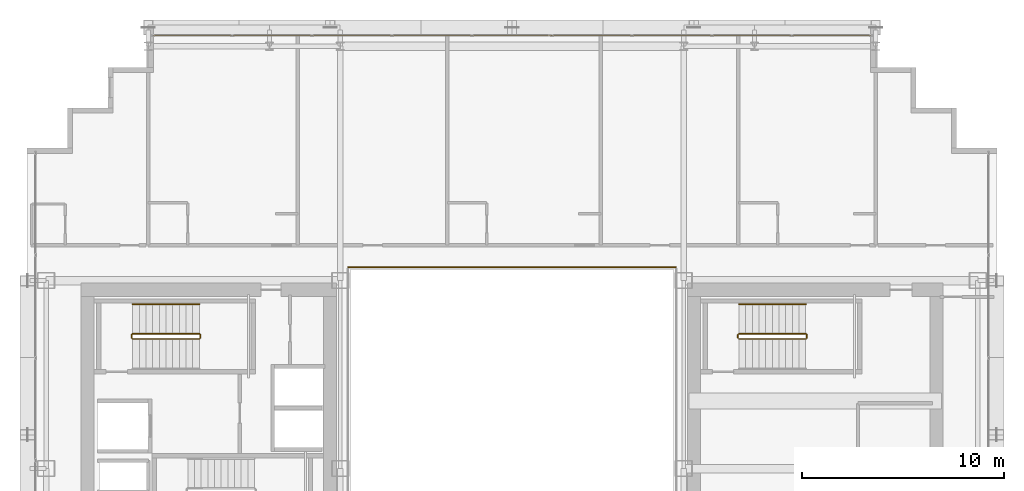
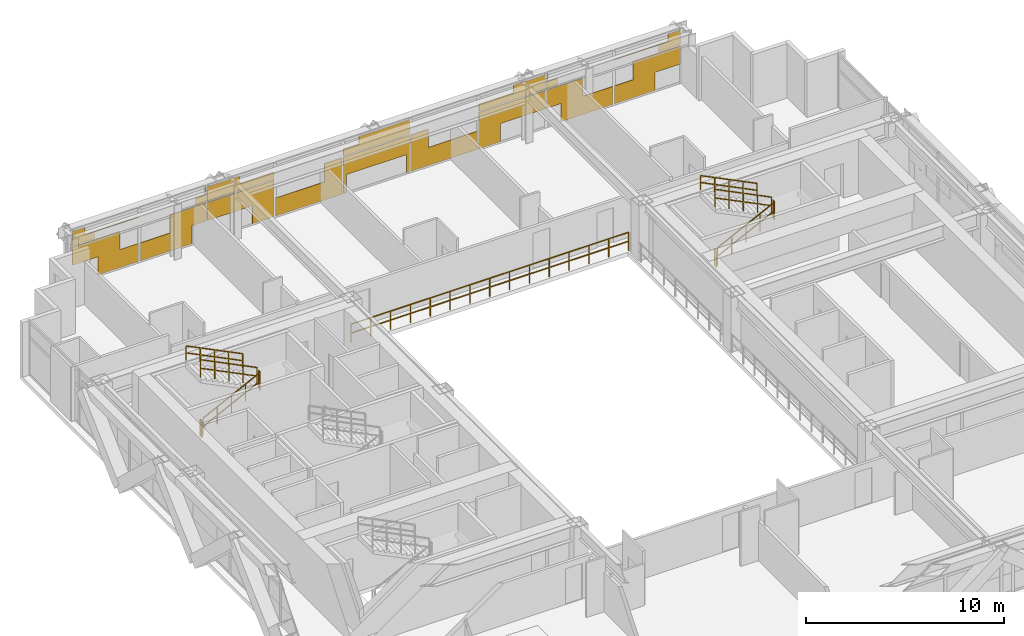
# One storey, part 34 of 34: 11 railings, 1 covering.
"""IFC4 building model written with IfcOpenShell, lengths in metres."""

from ifc_helpers import new_model, si_unit, direction, frame, origin, origin_2d, place, context, subcontext, project, spatial, rectangle, extrude, material, layer, layer_set, type_object, element, save


model = new_model("IFC4")

# Units and contexts
model_context = context("Model", 3, precision=1e-05, world=origin(), true_north=direction((0.0, 1.0)))
body_context = subcontext(model_context, "Body", "Model", "MODEL_VIEW")
ifc_project = project(units=[si_unit("LENGTHUNIT", "METRE"), si_unit("AREAUNIT", "SQUARE_METRE"), si_unit("VOLUMEUNIT", "CUBIC_METRE"), si_unit("PLANEANGLEUNIT", "RADIAN"), si_unit("MASSUNIT", "GRAM", prefix="KILO")], contexts=[model_context])

# Site, building, storey
site_placement = place(None, origin())
site = spatial("IfcSite", under=ifc_project, at=site_placement, CompositionType="ELEMENT")
building_placement = place(site_placement, origin())
building = spatial("IfcBuilding", under=site, at=building_placement, Name="Ocotamira Hotel", CompositionType="ELEMENT")
storey_placement = place(building_placement, frame((0.0, 0.0, 108.0)))
storey = spatial("IfcBuildingStorey", under=building, at=storey_placement, Name="L26", CompositionType="ELEMENT", Elevation=108.0)

# Covering
ifc_material_1 = material(Name="Insulated pale-metal aluminium spandrel panel", Category="aluminium")
ifc_layer = layer(ifc_material_1, 0.044921875)
ifc_layer_set = layer_set([ifc_layer], Name="Insulated pale-metal aluminium spandrel panel")
covering_type = type_object("IfcCoveringType", Name="COV-INFILL-45", PredefinedType="CLADDING", material=ifc_layer_set)
covering_placement = place(storey_placement, origin())
element("IfcCovering", 1, at=covering_placement, inside=storey, type_object=covering_type, Name="L26 Curtain Wall Infill CW-3 CW-L26-N", PredefinedType="CLADDING", context=body_context, shape_type="SweptSolid", body=[
    extrude(rectangle(XDim=2.754638671875, YDim=0.044921875, at=origin_2d()), frame((15.65771484375, 49.580078125, 1.1943359375), z_axis=(0.0, 0.0, 1.0), x_axis=(1.0, 0.0, 0.0)), (0.0, 0.0, 1.0), 1.117919921875),
    extrude(rectangle(XDim=2.359619140625, YDim=0.044921875, at=origin_2d()), frame((16.935302734375, 49.580078125, 0.07568359375), z_axis=(0.0, 0.0, 1.0), x_axis=(1.0, 0.0, 0.0)), (0.0, 0.0, 1.0), 1.11767578125),
    extrude(rectangle(XDim=1.262451171875, YDim=0.044921875, at=origin_2d()), frame((14.91162109375, 49.580078125, 2.387939453125), z_axis=(0.0, 0.0, 1.0), x_axis=(1.0, 0.0, 0.0)), (0.0, 0.0, 1.0), 0.3935546875),
    extrude(rectangle(XDim=3.834716796875, YDim=0.044921875, at=origin_2d()), frame((16.19775390625, 49.580078125, 2.782470703125), z_axis=(0.0, 0.0, 1.0), x_axis=(1.0, 0.0, 0.0)), (0.0, 0.0, 1.0), 0.0302734375),
    extrude(rectangle(XDim=0.730224609375, YDim=0.044921875, at=origin_2d()), frame((14.6455078125, 49.580078125, 2.813720703125), z_axis=(0.0, 0.0, 1.0), x_axis=(1.0, 0.0, 0.0)), (0.0, 0.0, 1.0), 0.470703125),
    extrude(rectangle(XDim=3.04833984375, YDim=0.044921875, at=origin_2d()), frame((19.72021484375, 49.580078125, 0.07568359375), z_axis=(0.0, 0.0, 1.0), x_axis=(1.0, 0.0, 0.0)), (0.0, 0.0, 1.0), 1.11767578125),
    extrude(rectangle(XDim=2.105712890625, YDim=0.044921875, at=origin_2d()), frame((21.017578125, 49.580078125, 1.1943359375), z_axis=(0.0, 0.0, 1.0), x_axis=(1.0, 0.0, 0.0)), (0.0, 0.0, 1.0), 1.117919921875),
    extrude(rectangle(XDim=0.613525390625, YDim=0.044921875, at=origin_2d()), frame((21.763916015625, 49.580078125, 2.387939453125), z_axis=(0.0, 0.0, 1.0), x_axis=(1.0, 0.0, 0.0)), (0.0, 0.0, 1.0), 0.4248046875),
    extrude(rectangle(XDim=0.081298828125, YDim=0.044921875, at=origin_2d()), frame((22.02978515625, 49.580078125, 2.813720703125), z_axis=(0.0, 0.0, 1.0), x_axis=(1.0, 0.0, 0.0)), (0.0, 0.0, 1.0), 0.470703125),
    extrude(rectangle(XDim=3.87451171875, YDim=0.044921875, at=origin_2d()), frame((24.0888671875, 49.580078125, 1.1943359375), z_axis=(0.0, 0.0, 1.0), x_axis=(1.0, 0.0, 0.0)), (0.0, 0.0, 1.0), 1.117919921875),
    extrude(rectangle(XDim=1.270751953125, YDim=0.044921875, at=origin_2d()), frame((25.390869140625, 49.580078125, 0.07568359375), z_axis=(0.0, 0.0, 1.0), x_axis=(1.0, 0.0, 0.0)), (0.0, 0.0, 1.0), 1.11767578125),
    extrude(rectangle(XDim=3.87451171875, YDim=0.044921875, at=origin_2d()), frame((24.0888671875, 49.580078125, 2.387939453125), z_axis=(0.0, 0.0, 1.0), x_axis=(1.0, 0.0, 0.0)), (0.0, 0.0, 1.0), 0.4248046875),
    extrude(rectangle(XDim=1.859130859375, YDim=0.044921875, at=origin_2d()), frame((23.081298828125, 49.580078125, 2.813720703125), z_axis=(0.0, 0.0, 1.0), x_axis=(1.0, 0.0, 0.0)), (0.0, 0.0, 1.0), 0.470703125),
    extrude(rectangle(XDim=3.87451171875, YDim=0.044921875, at=origin_2d()), frame((28.04443359375, 49.580078125, 0.07568359375), z_axis=(0.0, 0.0, 1.0), x_axis=(1.0, 0.0, 0.0)), (0.0, 0.0, 1.0), 1.11767578125),
    extrude(rectangle(XDim=1.016845703125, YDim=0.044921875, at=origin_2d()), frame((29.473388671875, 49.580078125, 1.1943359375), z_axis=(0.0, 0.0, 1.0), x_axis=(1.0, 0.0, 0.0)), (0.0, 0.0, 1.0), 1.117919921875),
    extrude(rectangle(XDim=0.181884765625, YDim=0.044921875, at=origin_2d()), frame((30.153564453125, 49.580078125, 0.07568359375), z_axis=(0.0, 0.0, 1.0), x_axis=(1.0, 0.0, 0.0)), (0.0, 0.0, 1.0), 1.11767578125),
    extrude(rectangle(XDim=3.87451171875, YDim=0.044921875, at=origin_2d()), frame((32.0, 49.580078125, 1.1943359375), z_axis=(0.0, 0.0, 1.0), x_axis=(1.0, 0.0, 0.0)), (0.0, 0.0, 1.0), 1.117919921875),
    extrude(rectangle(XDim=0.181884765625, YDim=0.044921875, at=origin_2d()), frame((33.846435546875, 49.580078125, 0.07568359375), z_axis=(0.0, 0.0, 1.0), x_axis=(1.0, 0.0, 0.0)), (0.0, 0.0, 1.0), 1.11767578125),
    extrude(rectangle(XDim=3.87451171875, YDim=0.044921875, at=origin_2d()), frame((32.0, 49.580078125, 2.387939453125), z_axis=(0.0, 0.0, 1.0), x_axis=(1.0, 0.0, 0.0)), (0.0, 0.0, 1.0), 0.4248046875),
    extrude(rectangle(XDim=2.947998046875, YDim=0.044921875, at=origin_2d()), frame((32.46337890625, 49.580078125, 2.813720703125), z_axis=(0.0, 0.0, 1.0), x_axis=(1.0, 0.0, 0.0)), (0.0, 0.0, 1.0), 0.470703125),
    extrude(rectangle(XDim=3.87451171875, YDim=0.044921875, at=origin_2d()), frame((35.95556640625, 49.580078125, 0.07568359375), z_axis=(0.0, 0.0, 1.0), x_axis=(1.0, 0.0, 0.0)), (0.0, 0.0, 1.0), 1.11767578125),
    extrude(rectangle(XDim=1.016845703125, YDim=0.044921875, at=origin_2d()), frame((34.526611328125, 49.580078125, 1.1943359375), z_axis=(0.0, 0.0, 1.0), x_axis=(1.0, 0.0, 0.0)), (0.0, 0.0, 1.0), 1.117919921875),
    extrude(rectangle(XDim=1.270751953125, YDim=0.044921875, at=origin_2d()), frame((38.609130859375, 49.580078125, 0.07568359375), z_axis=(0.0, 0.0, 1.0), x_axis=(1.0, 0.0, 0.0)), (0.0, 0.0, 1.0), 1.11767578125),
    extrude(rectangle(XDim=3.87451171875, YDim=0.044921875, at=origin_2d()), frame((39.9111328125, 49.580078125, 1.1943359375), z_axis=(0.0, 0.0, 1.0), x_axis=(1.0, 0.0, 0.0)), (0.0, 0.0, 1.0), 1.117919921875),
    extrude(rectangle(XDim=3.87451171875, YDim=0.044921875, at=origin_2d()), frame((39.9111328125, 49.580078125, 2.387939453125), z_axis=(0.0, 0.0, 1.0), x_axis=(1.0, 0.0, 0.0)), (0.0, 0.0, 1.0), 0.4248046875),
    extrude(rectangle(XDim=1.859130859375, YDim=0.044921875, at=origin_2d()), frame((40.918701171875, 49.580078125, 2.813720703125), z_axis=(0.0, 0.0, 1.0), x_axis=(1.0, 0.0, 0.0)), (0.0, 0.0, 1.0), 0.470703125),
    extrude(rectangle(XDim=2.105712890625, YDim=0.044921875, at=origin_2d()), frame((42.982421875, 49.580078125, 1.1943359375), z_axis=(0.0, 0.0, 1.0), x_axis=(1.0, 0.0, 0.0)), (0.0, 0.0, 1.0), 1.117919921875),
    extrude(rectangle(XDim=3.04833984375, YDim=0.044921875, at=origin_2d()), frame((44.27978515625, 49.580078125, 0.07568359375), z_axis=(0.0, 0.0, 1.0), x_axis=(1.0, 0.0, 0.0)), (0.0, 0.0, 1.0), 1.11767578125),
    extrude(rectangle(XDim=0.613525390625, YDim=0.044921875, at=origin_2d()), frame((42.236083984375, 49.580078125, 2.387939453125), z_axis=(0.0, 0.0, 1.0), x_axis=(1.0, 0.0, 0.0)), (0.0, 0.0, 1.0), 0.4248046875),
    extrude(rectangle(XDim=0.081298828125, YDim=0.044921875, at=origin_2d()), frame((41.97021484375, 49.580078125, 2.813720703125), z_axis=(0.0, 0.0, 1.0), x_axis=(1.0, 0.0, 0.0)), (0.0, 0.0, 1.0), 0.470703125),
    extrude(rectangle(XDim=2.359619140625, YDim=0.044921875, at=origin_2d()), frame((47.064697265625, 49.580078125, 0.07568359375), z_axis=(0.0, 0.0, 1.0), x_axis=(1.0, 0.0, 0.0)), (0.0, 0.0, 1.0), 1.11767578125),
    extrude(rectangle(XDim=2.754638671875, YDim=0.044921875, at=origin_2d()), frame((48.34228515625, 49.580078125, 1.1943359375), z_axis=(0.0, 0.0, 1.0), x_axis=(1.0, 0.0, 0.0)), (0.0, 0.0, 1.0), 1.117919921875),
    extrude(rectangle(XDim=3.834716796875, YDim=0.044921875, at=origin_2d()), frame((47.80224609375, 49.580078125, 2.782470703125), z_axis=(0.0, 0.0, 1.0), x_axis=(1.0, 0.0, 0.0)), (0.0, 0.0, 1.0), 0.0302734375),
    extrude(rectangle(XDim=1.262451171875, YDim=0.044921875, at=origin_2d()), frame((49.08837890625, 49.580078125, 2.387939453125), z_axis=(0.0, 0.0, 1.0), x_axis=(1.0, 0.0, 0.0)), (0.0, 0.0, 1.0), 0.3935546875),
    extrude(rectangle(XDim=0.730224609375, YDim=0.044921875, at=origin_2d()), frame((49.3544921875, 49.580078125, 2.813720703125), z_axis=(0.0, 0.0, 1.0), x_axis=(1.0, 0.0, 0.0)), (0.0, 0.0, 1.0), 0.470703125),
])

# Railings
ifc_material_2 = material(Name="Painted steel stair guardrail", Category="steel")
railing_type_1 = type_object("IfcRailingType", Name="RL-EDGE-1150", PredefinedType="GUARDRAIL", material=ifc_material_2)
railing_1_placement = place(storey_placement, frame((40.10009765625, 38.1201171875, 0.0)))
element("IfcRailing", 2, at=railing_1_placement, inside=storey, type_object=railing_type_1, Name="L26 Central Atrium Edge Guardrail N", PredefinedType="GUARDRAIL", context=body_context, shape_type="SweptSolid", body=[
    extrude(rectangle(XDim=0.048095703125, YDim=0.048095703125, at=origin_2d()), frame((0.0, 0.0, 1.1259765625), z_axis=(-1.0, 0.0, 0.0), x_axis=(0.0, -1.0, 0.0)), (0.0, 0.0, 1.0), 16.2001953125),
    extrude(rectangle(XDim=0.048095703125, YDim=0.048095703125, at=origin_2d()), frame((0.0, 0.0, 0.574951171875), z_axis=(-1.0, 0.0, 0.0), x_axis=(0.0, -1.0, 0.0)), (0.0, 0.0, 1.0), 16.2001953125),
    extrude(rectangle(XDim=0.0419921875, YDim=0.0419921875, at=origin_2d()), origin(), (0.0, 0.0, 1.0), 1.101806640625),
    extrude(rectangle(XDim=0.0419921875, YDim=0.0419921875, at=origin_2d()), frame((-1.1572265625, 0.0, 0.0)), (0.0, 0.0, 1.0), 1.101806640625),
    extrude(rectangle(XDim=0.0419921875, YDim=0.0419921875, at=origin_2d()), frame((-2.314208984375, 0.0, 0.0)), (0.0, 0.0, 1.0), 1.101806640625),
    extrude(rectangle(XDim=0.0419921875, YDim=0.0419921875, at=origin_2d()), frame((-3.471435546875, 0.0, 0.0)), (0.0, 0.0, 1.0), 1.101806640625),
    extrude(rectangle(XDim=0.0419921875, YDim=0.0419921875, at=origin_2d()), frame((-4.628662109375, 0.0, 0.0)), (0.0, 0.0, 1.0), 1.101806640625),
    extrude(rectangle(XDim=0.0419921875, YDim=0.0419921875, at=origin_2d()), frame((-5.785888671875, 0.0, 0.0)), (0.0, 0.0, 1.0), 1.101806640625),
    extrude(rectangle(XDim=0.0419921875, YDim=0.0419921875, at=origin_2d()), frame((-6.94287109375, 0.0, 0.0)), (0.0, 0.0, 1.0), 1.101806640625),
    extrude(rectangle(XDim=0.0419921875, YDim=0.0419921875, at=origin_2d()), frame((-8.10009765625, 0.0, 0.0)), (0.0, 0.0, 1.0), 1.101806640625),
    extrude(rectangle(XDim=0.0419921875, YDim=0.0419921875, at=origin_2d()), frame((-9.25732421875, 0.0, 0.0)), (0.0, 0.0, 1.0), 1.101806640625),
    extrude(rectangle(XDim=0.0419921875, YDim=0.0419921875, at=origin_2d()), frame((-10.414306640625, 0.0, 0.0)), (0.0, 0.0, 1.0), 1.101806640625),
    extrude(rectangle(XDim=0.0419921875, YDim=0.0419921875, at=origin_2d()), frame((-11.571533203125, 0.0, 0.0)), (0.0, 0.0, 1.0), 1.101806640625),
    extrude(rectangle(XDim=0.0419921875, YDim=0.0419921875, at=origin_2d()), frame((-12.728759765625, 0.0, 0.0)), (0.0, 0.0, 1.0), 1.101806640625),
    extrude(rectangle(XDim=0.0419921875, YDim=0.0419921875, at=origin_2d()), frame((-13.885986328125, 0.0, 0.0)), (0.0, 0.0, 1.0), 1.101806640625),
    extrude(rectangle(XDim=0.0419921875, YDim=0.0419921875, at=origin_2d()), frame((-15.04296875, 0.0, 0.0)), (0.0, 0.0, 1.0), 1.101806640625),
    extrude(rectangle(XDim=0.0419921875, YDim=0.0419921875, at=origin_2d()), frame((-16.2001953125, 0.0, 0.0)), (0.0, 0.0, 1.0), 1.101806640625),
])
ifc_material_3 = material(Name="Brushed stainless steel handrail", Category="steel")
railing_type_2 = type_object("IfcRailingType", Name="RL-HAND-900", PredefinedType="HANDRAIL", material=ifc_material_3)
for number, where, name in (
    (3, (16.530029296875, 36.280029296875, 2.127197265625), "L26 ST-2 stair handrail 2"),
    (4, (46.530029296875, 36.280029296875, 2.127197265625), "L26 ST-4 stair handrail 2"),
):
    element("IfcRailing", number, at=place(storey_placement, frame(where)), inside=storey, type_object=railing_type_2, Name=name, PredefinedType="HANDRAIL", context=body_context, shape_type="SweptSolid", body=[
        extrude(rectangle(XDim=0.048095703125, YDim=0.048095703125, at=origin_2d()), frame((0.0, 0.0, 0.8759765625), z_axis=(-0.895893744519, 0.0, 0.4442683857), x_axis=(0.0, -1.0, 0.0)), (0.0, 0.0, 1.0), 3.68359375),
        extrude(rectangle(XDim=0.048095703125, YDim=0.048095703125, at=origin_2d()), frame((0.0, 0.0, 0.449951171875), z_axis=(-0.895893744519, 0.0, 0.4442683857), x_axis=(0.0, -1.0, 0.0)), (0.0, 0.0, 1.0), 3.68359375),
        extrude(rectangle(XDim=0.0419921875, YDim=0.0419921875, at=origin_2d()), origin(), (0.0, 0.0, 1.0), 0.851806640625),
        extrude(rectangle(XDim=0.0419921875, YDim=0.0419921875, at=origin_2d()), frame((-0.824951171875, 0.0, 0.4091796875)), (0.0, 0.0, 1.0), 0.851806640625),
        extrude(rectangle(XDim=0.0419921875, YDim=0.0419921875, at=origin_2d()), frame((-1.64990234375, 0.0, 0.818359375)), (0.0, 0.0, 1.0), 0.851806640625),
        extrude(rectangle(XDim=0.0419921875, YDim=0.0419921875, at=origin_2d()), frame((-2.47509765625, 0.0, 1.227294921875)), (0.0, 0.0, 1.0), 0.851806640625),
        extrude(rectangle(XDim=0.0419921875, YDim=0.0419921875, at=origin_2d()), frame((-3.300048828125, 0.0, 1.636474609375)), (0.0, 0.0, 1.0), 0.851806640625),
    ])
railing_type_3 = type_object("IfcRailingType", Name="RL-STAIR-1100", PredefinedType="GUARDRAIL", material=ifc_material_2)
railing_2_placement = place(storey_placement, frame((13.22998046875, 34.56005859375, 0.16357421875)))
element("IfcRailing", 5, at=railing_2_placement, inside=storey, type_object=railing_type_3, Name="L26 ST-2 stair guard 1", PredefinedType="GUARDRAIL", context=body_context, shape_type="SweptSolid", body=[
    extrude(rectangle(XDim=0.048095703125, YDim=0.048095703125, at=origin_2d()), frame((0.0, 0.0, 1.076171875), z_axis=(0.895893744519, 0.0, 0.4442683857), x_axis=(0.0, 1.0, 0.0)), (0.0, 0.0, 1.0), 3.68359375),
    extrude(rectangle(XDim=0.048095703125, YDim=0.048095703125, at=origin_2d()), frame((0.0, 0.0, 0.550048828125), z_axis=(0.895893744519, 0.0, 0.4442683857), x_axis=(0.0, 1.0, 0.0)), (0.0, 0.0, 1.0), 3.68359375),
    extrude(rectangle(XDim=0.0419921875, YDim=0.0419921875, at=origin_2d()), origin(), (0.0, 0.0, 1.0), 1.052001953125),
    extrude(rectangle(XDim=0.0419921875, YDim=0.0419921875, at=origin_2d()), frame((0.824951171875, 0.0, 0.4091796875)), (0.0, 0.0, 1.0), 1.052001953125),
    extrude(rectangle(XDim=0.0419921875, YDim=0.0419921875, at=origin_2d()), frame((1.64990234375, 0.0, 0.818359375)), (0.0, 0.0, 1.0), 1.052001953125),
    extrude(rectangle(XDim=0.0419921875, YDim=0.0419921875, at=origin_2d()), frame((2.47509765625, 0.0, 1.227294921875)), (0.0, 0.0, 1.0), 1.052001953125),
    extrude(rectangle(XDim=0.0419921875, YDim=0.0419921875, at=origin_2d()), frame((3.300048828125, 0.0, 1.636474609375)), (0.0, 0.0, 1.0), 1.052001953125),
])
railing_3_placement = place(storey_placement, frame((16.580078125, 34.610107421875, 1.800048828125)))
element("IfcRailing", 6, at=railing_3_placement, inside=storey, type_object=railing_type_3, Name="L26 ST-2 stair guard 2", PredefinedType="GUARDRAIL", context=body_context, shape_type="SweptSolid", body=[
    extrude(rectangle(XDim=0.048095703125, YDim=0.048095703125, at=origin_2d()), frame((0.0, 0.0, 1.076171875), z_axis=(0.0, 1.0, 0.0), x_axis=(-1.0, 0.0, 0.0)), (0.0, 0.0, 1.0), 0.159912109375),
    extrude(rectangle(XDim=0.048095703125, YDim=0.048095703125, at=origin_2d()), frame((0.0, 0.0, 0.550048828125), z_axis=(0.0, 1.0, 0.0), x_axis=(-1.0, 0.0, 0.0)), (0.0, 0.0, 1.0), 0.159912109375),
    extrude(rectangle(XDim=0.0419921875, YDim=0.0419921875, at=origin_2d()), origin(), (0.0, 0.0, 1.0), 1.052001953125),
    extrude(rectangle(XDim=0.0419921875, YDim=0.0419921875, at=origin_2d()), frame((0.0, 0.159912109375, 0.0)), (0.0, 0.0, 1.0), 1.052001953125),
])
railing_4_placement = place(storey_placement, frame((16.530029296875, 34.820068359375, 1.963623046875)))
element("IfcRailing", 7, at=railing_4_placement, inside=storey, type_object=railing_type_3, Name="L26 ST-2 stair guard 3", PredefinedType="GUARDRAIL", context=body_context, shape_type="SweptSolid", body=[
    extrude(rectangle(XDim=0.048095703125, YDim=0.048095703125, at=origin_2d()), frame((0.0, 0.0, 1.076171875), z_axis=(-0.895893744519, 0.0, 0.4442683857), x_axis=(0.0, -1.0, 0.0)), (0.0, 0.0, 1.0), 3.68359375),
    extrude(rectangle(XDim=0.048095703125, YDim=0.048095703125, at=origin_2d()), frame((0.0, 0.0, 0.550048828125), z_axis=(-0.895893744519, 0.0, 0.4442683857), x_axis=(0.0, -1.0, 0.0)), (0.0, 0.0, 1.0), 3.68359375),
    extrude(rectangle(XDim=0.0419921875, YDim=0.0419921875, at=origin_2d()), origin(), (0.0, 0.0, 1.0), 1.052001953125),
    extrude(rectangle(XDim=0.0419921875, YDim=0.0419921875, at=origin_2d()), frame((-0.824951171875, 0.0, 0.4091796875)), (0.0, 0.0, 1.0), 1.052001953125),
    extrude(rectangle(XDim=0.0419921875, YDim=0.0419921875, at=origin_2d()), frame((-1.64990234375, 0.0, 0.818359375)), (0.0, 0.0, 1.0), 1.052001953125),
    extrude(rectangle(XDim=0.0419921875, YDim=0.0419921875, at=origin_2d()), frame((-2.47509765625, 0.0, 1.227294921875)), (0.0, 0.0, 1.0), 1.052001953125),
    extrude(rectangle(XDim=0.0419921875, YDim=0.0419921875, at=origin_2d()), frame((-3.300048828125, 0.0, 1.636474609375)), (0.0, 0.0, 1.0), 1.052001953125),
])
railing_5_placement = place(storey_placement, frame((13.179931640625, 34.610107421875, 0.0)))
element("IfcRailing", 8, at=railing_5_placement, inside=storey, type_object=railing_type_3, Name="L26 ST-2 stair guard 4", PredefinedType="GUARDRAIL", context=body_context, shape_type="SweptSolid", body=[
    extrude(rectangle(XDim=0.048095703125, YDim=0.048095703125, at=origin_2d()), frame((0.0, 0.0, 1.076171875), z_axis=(0.0, 1.0, 0.0), x_axis=(-1.0, 0.0, 0.0)), (0.0, 0.0, 1.0), 0.159912109375),
    extrude(rectangle(XDim=0.048095703125, YDim=0.048095703125, at=origin_2d()), frame((0.0, 0.0, 0.550048828125), z_axis=(0.0, 1.0, 0.0), x_axis=(-1.0, 0.0, 0.0)), (0.0, 0.0, 1.0), 0.159912109375),
    extrude(rectangle(XDim=0.0419921875, YDim=0.0419921875, at=origin_2d()), origin(), (0.0, 0.0, 1.0), 1.052001953125),
    extrude(rectangle(XDim=0.0419921875, YDim=0.0419921875, at=origin_2d()), frame((0.0, 0.159912109375, 0.0)), (0.0, 0.0, 1.0), 1.052001953125),
])
railing_6_placement = place(storey_placement, frame((43.22998046875, 34.56005859375, 0.16357421875)))
element("IfcRailing", 9, at=railing_6_placement, inside=storey, type_object=railing_type_3, Name="L26 ST-4 stair guard 1", PredefinedType="GUARDRAIL", context=body_context, shape_type="SweptSolid", body=[
    extrude(rectangle(XDim=0.048095703125, YDim=0.048095703125, at=origin_2d()), frame((0.0, 0.0, 1.076171875), z_axis=(0.895893744519, 0.0, 0.4442683857), x_axis=(0.0, 1.0, 0.0)), (0.0, 0.0, 1.0), 3.68359375),
    extrude(rectangle(XDim=0.048095703125, YDim=0.048095703125, at=origin_2d()), frame((0.0, 0.0, 0.550048828125), z_axis=(0.895893744519, 0.0, 0.4442683857), x_axis=(0.0, 1.0, 0.0)), (0.0, 0.0, 1.0), 3.68359375),
    extrude(rectangle(XDim=0.0419921875, YDim=0.0419921875, at=origin_2d()), origin(), (0.0, 0.0, 1.0), 1.052001953125),
    extrude(rectangle(XDim=0.0419921875, YDim=0.0419921875, at=origin_2d()), frame((0.824951171875, 0.0, 0.4091796875)), (0.0, 0.0, 1.0), 1.052001953125),
    extrude(rectangle(XDim=0.0419921875, YDim=0.0419921875, at=origin_2d()), frame((1.64990234375, 0.0, 0.818359375)), (0.0, 0.0, 1.0), 1.052001953125),
    extrude(rectangle(XDim=0.0419921875, YDim=0.0419921875, at=origin_2d()), frame((2.47509765625, 0.0, 1.227294921875)), (0.0, 0.0, 1.0), 1.052001953125),
    extrude(rectangle(XDim=0.0419921875, YDim=0.0419921875, at=origin_2d()), frame((3.300048828125, 0.0, 1.636474609375)), (0.0, 0.0, 1.0), 1.052001953125),
])
railing_7_placement = place(storey_placement, frame((46.580078125, 34.610107421875, 1.800048828125)))
element("IfcRailing", 10, at=railing_7_placement, inside=storey, type_object=railing_type_3, Name="L26 ST-4 stair guard 2", PredefinedType="GUARDRAIL", context=body_context, shape_type="SweptSolid", body=[
    extrude(rectangle(XDim=0.048095703125, YDim=0.048095703125, at=origin_2d()), frame((0.0, 0.0, 1.076171875), z_axis=(0.0, 1.0, 0.0), x_axis=(-1.0, 0.0, 0.0)), (0.0, 0.0, 1.0), 0.159912109375),
    extrude(rectangle(XDim=0.048095703125, YDim=0.048095703125, at=origin_2d()), frame((0.0, 0.0, 0.550048828125), z_axis=(0.0, 1.0, 0.0), x_axis=(-1.0, 0.0, 0.0)), (0.0, 0.0, 1.0), 0.159912109375),
    extrude(rectangle(XDim=0.0419921875, YDim=0.0419921875, at=origin_2d()), origin(), (0.0, 0.0, 1.0), 1.052001953125),
    extrude(rectangle(XDim=0.0419921875, YDim=0.0419921875, at=origin_2d()), frame((0.0, 0.159912109375, 0.0)), (0.0, 0.0, 1.0), 1.052001953125),
])
railing_8_placement = place(storey_placement, frame((46.530029296875, 34.820068359375, 1.963623046875)))
element("IfcRailing", 11, at=railing_8_placement, inside=storey, type_object=railing_type_3, Name="L26 ST-4 stair guard 3", PredefinedType="GUARDRAIL", context=body_context, shape_type="SweptSolid", body=[
    extrude(rectangle(XDim=0.048095703125, YDim=0.048095703125, at=origin_2d()), frame((0.0, 0.0, 1.076171875), z_axis=(-0.895893744519, 0.0, 0.4442683857), x_axis=(0.0, -1.0, 0.0)), (0.0, 0.0, 1.0), 3.68359375),
    extrude(rectangle(XDim=0.048095703125, YDim=0.048095703125, at=origin_2d()), frame((0.0, 0.0, 0.550048828125), z_axis=(-0.895893744519, 0.0, 0.4442683857), x_axis=(0.0, -1.0, 0.0)), (0.0, 0.0, 1.0), 3.68359375),
    extrude(rectangle(XDim=0.0419921875, YDim=0.0419921875, at=origin_2d()), origin(), (0.0, 0.0, 1.0), 1.052001953125),
    extrude(rectangle(XDim=0.0419921875, YDim=0.0419921875, at=origin_2d()), frame((-0.824951171875, 0.0, 0.4091796875)), (0.0, 0.0, 1.0), 1.052001953125),
    extrude(rectangle(XDim=0.0419921875, YDim=0.0419921875, at=origin_2d()), frame((-1.64990234375, 0.0, 0.818359375)), (0.0, 0.0, 1.0), 1.052001953125),
    extrude(rectangle(XDim=0.0419921875, YDim=0.0419921875, at=origin_2d()), frame((-2.47509765625, 0.0, 1.227294921875)), (0.0, 0.0, 1.0), 1.052001953125),
    extrude(rectangle(XDim=0.0419921875, YDim=0.0419921875, at=origin_2d()), frame((-3.300048828125, 0.0, 1.636474609375)), (0.0, 0.0, 1.0), 1.052001953125),
])
railing_9_placement = place(storey_placement, frame((43.179931640625, 34.610107421875, 0.0)))
element("IfcRailing", 12, at=railing_9_placement, inside=storey, type_object=railing_type_3, Name="L26 ST-4 stair guard 4", PredefinedType="GUARDRAIL", context=body_context, shape_type="SweptSolid", body=[
    extrude(rectangle(XDim=0.048095703125, YDim=0.048095703125, at=origin_2d()), frame((0.0, 0.0, 1.076171875), z_axis=(0.0, 1.0, 0.0), x_axis=(-1.0, 0.0, 0.0)), (0.0, 0.0, 1.0), 0.159912109375),
    extrude(rectangle(XDim=0.048095703125, YDim=0.048095703125, at=origin_2d()), frame((0.0, 0.0, 0.550048828125), z_axis=(0.0, 1.0, 0.0), x_axis=(-1.0, 0.0, 0.0)), (0.0, 0.0, 1.0), 0.159912109375),
    extrude(rectangle(XDim=0.0419921875, YDim=0.0419921875, at=origin_2d()), origin(), (0.0, 0.0, 1.0), 1.052001953125),
    extrude(rectangle(XDim=0.0419921875, YDim=0.0419921875, at=origin_2d()), frame((0.0, 0.159912109375, 0.0)), (0.0, 0.0, 1.0), 1.052001953125),
])

save(model, "model.ifc")
